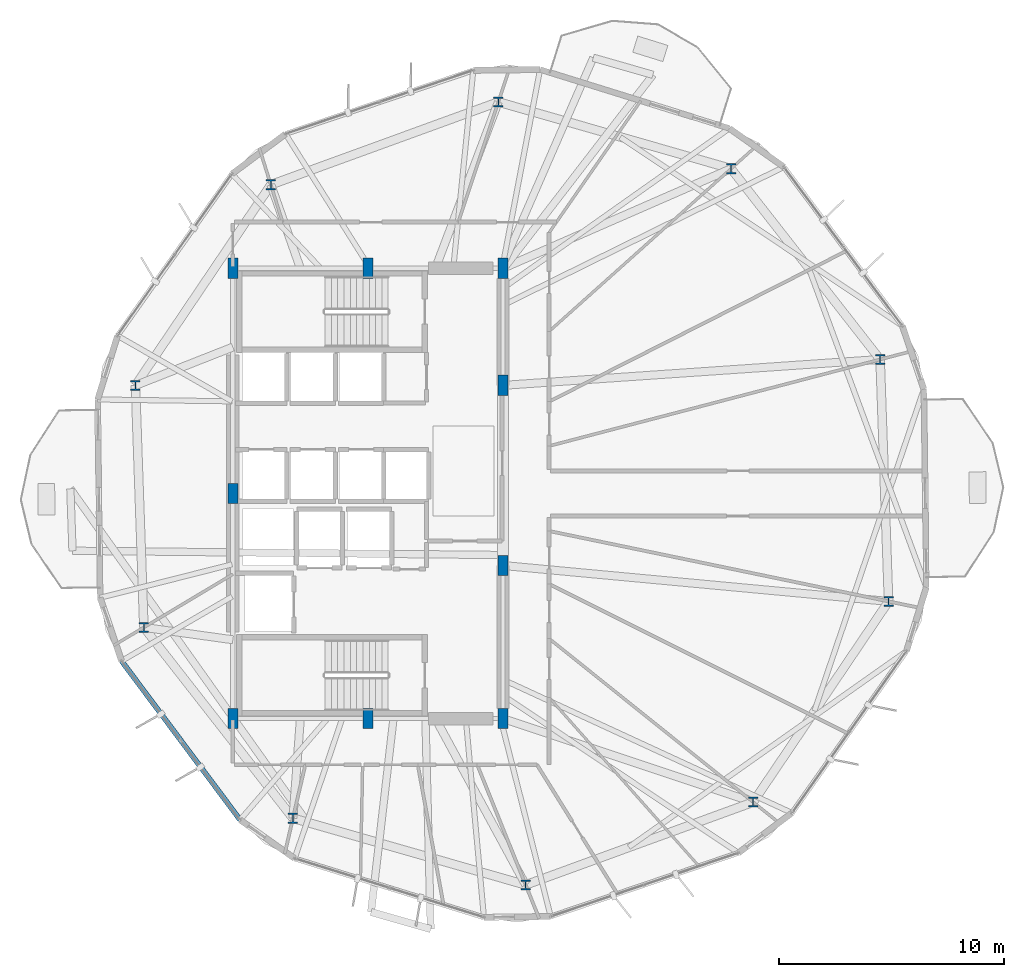
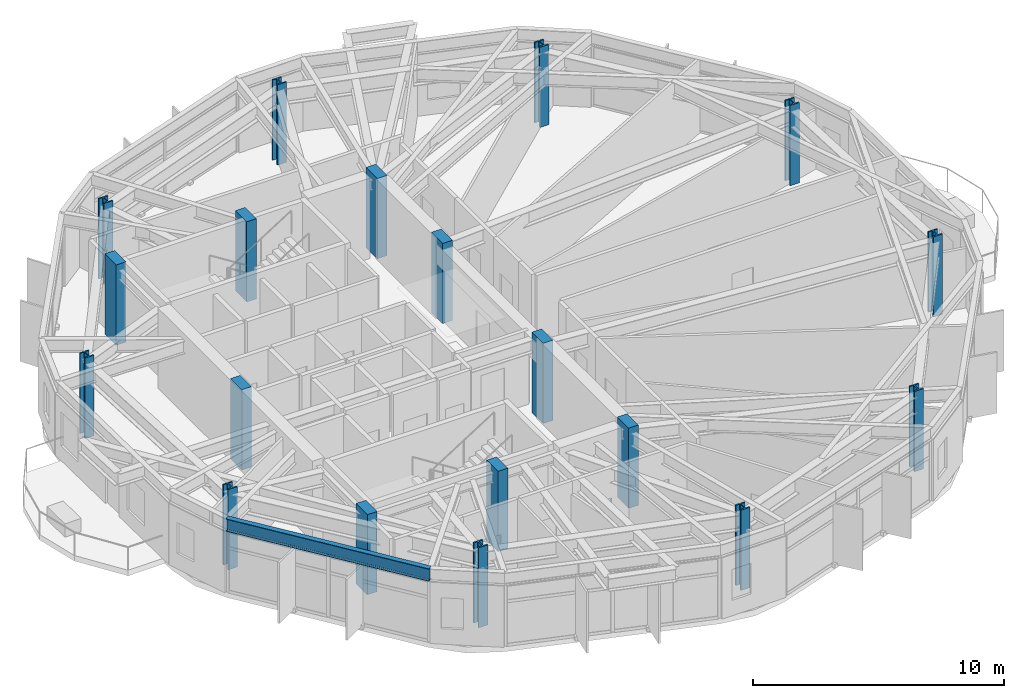
# One storey, part 1 of 25: 19 columns, 1 beam.
"""IFC4 building model written with IfcOpenShell, lengths in metres."""

from ifc_helpers import new_model, si_unit, direction, frame, origin, origin_2d, place, context, subcontext, project, spatial, rectangle, i_section, extrude, material, material_profile, profile_set, type_object, element, save


model = new_model("IFC4")

# Units and contexts
model_context = context("Model", 3, precision=1e-05, world=origin(), true_north=direction((0.0, 1.0)))
body_context = subcontext(model_context, "Body", "Model", "MODEL_VIEW")
ifc_project = project(units=[si_unit("LENGTHUNIT", "METRE"), si_unit("AREAUNIT", "SQUARE_METRE"), si_unit("VOLUMEUNIT", "CUBIC_METRE"), si_unit("PLANEANGLEUNIT", "RADIAN"), si_unit("MASSUNIT", "GRAM", prefix="KILO")], contexts=[model_context])

# Site, building, storey
site_placement = place(None, origin())
site = spatial("IfcSite", under=ifc_project, at=site_placement, CompositionType="ELEMENT")
building_placement = place(site_placement, origin())
building = spatial("IfcBuilding", under=site, at=building_placement, Name="Soratama Intermodal Tower", CompositionType="ELEMENT")
storey_placement = place(building_placement, frame((0.0, 0.0, 106.89990234375)))
storey = spatial("IfcBuildingStorey", under=building, at=storey_placement, Name="L25", CompositionType="ELEMENT", Elevation=106.89990234375)

# Columns
ifc_material_1 = material(Name="Structural steel ASTM A992 Grade 50", Category="steel")
ifc_material_profile_1 = material_profile(ifc_material_1, i_section(OverallWidth=0.41796875, OverallDepth=0.455078125, WebThickness=0.0419921875, FlangeThickness=0.067626953125, FilletRadius=0.0380859375, at=origin_2d()), Name="W14X370")
ifc_profile_set_1 = profile_set([ifc_material_profile_1], Name="Structural steel ASTM A992 Grade 50")
column_type_1 = type_object("IfcColumnType", Name="COL-ZB-W14X370", PredefinedType="COLUMN", material=ifc_profile_set_1)
for number, where, z_axis, x_axis, name in (
    (1, (61.3505859375, 30.951171875, 0.0), (0.0, 0.0, 1.0), (1.0, 0.0, 0.0), "L25 Tower Ring Column R01"),
    (2, (54.72998046875, 39.42529296875, 0.0), (0.0, 0.0, 1.0), (1.0, 0.0, 0.0), "L25 Tower Ring Column R02"),
    (3, (44.392578125, 42.389404296875, 0.0), (0.0, 0.0, 1.0), (1.0, 0.0, 0.0), "L25 Tower Ring Column R03"),
    (4, (34.28759765625, 38.71142578125, 0.0), (0.0, 0.0, 1.0), (1.0, 0.0, 0.0), "L25 Tower Ring Column R04"),
    (5, (28.27392578125, 29.796142578125, 0.0), (0.0, 0.0, 1.0), (1.0, 0.0, 0.0), "L25 Tower Ring Column R05"),
    (6, (28.6494140625, 19.048828125, 0.0), (0.0, 0.0, 1.0), (1.0, 0.0, 0.0), "L25 Tower Ring Column R06"),
    (7, (35.27001953125, 10.57470703125, 0.0), (0.0, 0.0, 1.0), (1.0, 0.0, 0.0), "L25 Tower Ring Column R07"),
    (8, (45.607421875, 7.610595703125, 0.0), (0.0, 0.0, 1.0), (1.0, 0.0, 0.0), "L25 Tower Ring Column R08"),
    (9, (55.71240234375, 11.28857421875, 0.0), (0.0, 0.0, 1.0), (1.0, 0.0, 0.0), "L25 Tower Ring Column R09"),
    (10, (61.72607421875, 20.203857421875, 0.0), (0.0, 0.0, 1.0), (1.0, 0.0, 0.0), "L25 Tower Ring Column R10"),
):
    element("IfcColumn", number, at=place(storey_placement, frame(where, z_axis=z_axis, x_axis=x_axis)), inside=storey, type_object=column_type_1, Name=name, PredefinedType="COLUMN", context=body_context, shape_type="SweptSolid", body=[
        extrude(i_section(OverallWidth=0.41796875, OverallDepth=0.455078125, WebThickness=0.0419921875, FlangeThickness=0.067626953125, FilletRadius=0.0380859375, at=origin_2d()), origin(), (0.0, 0.0, 1.0), 3.900146484375),
    ])
ifc_material_2 = material(Name="Concrete f'c 56 MPa", Category="concrete")
ifc_material_profile_2 = material_profile(ifc_material_2, rectangle(XDim=0.449951171875, YDim=0.89990234375, at=origin_2d()), Name="RC450X900")
ifc_profile_set_2 = profile_set([ifc_material_profile_2], Name="Concrete f'c 56 MPa")
column_type_2 = type_object("IfcColumnType", Name="PIL-CORE-450X900", PredefinedType="PILASTER", material=ifc_profile_set_2)
for number, where, z_axis, x_axis, name in (
    (11, (32.60009765625, 15.0, 0.0), (0.0, 0.0, 1.0), (1.0, 0.0, 0.0), "L25 Core Pilaster 1"),
    (12, (32.60009765625, 25.0, 0.0), (0.0, 0.0, 1.0), (1.0, 0.0, 0.0), "L25 Core Pilaster 2"),
    (13, (32.60009765625, 35.0, 0.0), (0.0, 0.0, 1.0), (1.0, 0.0, 0.0), "L25 Core Pilaster 3"),
    (14, (38.60009765625, 15.0, 0.0), (0.0, 0.0, 1.0), (1.0, 0.0, 0.0), "L25 Core Pilaster 4"),
    (15, (38.60009765625, 35.0, 0.0), (0.0, 0.0, 1.0), (1.0, 0.0, 0.0), "L25 Core Pilaster 5"),
    (16, (44.60009765625, 15.0, 0.0), (0.0, 0.0, 1.0), (1.0, 0.0, 0.0), "L25 Core Pilaster 6"),
    (17, (44.60009765625, 21.800048828125, 0.0), (0.0, 0.0, 1.0), (1.0, 0.0, 0.0), "L25 Core Pilaster 7"),
    (18, (44.60009765625, 29.800048828125, 0.0), (0.0, 0.0, 1.0), (1.0, 0.0, 0.0), "L25 Core Pilaster 8"),
    (19, (44.60009765625, 35.0, 0.0), (0.0, 0.0, 1.0), (1.0, 0.0, 0.0), "L25 Core Pilaster 9"),
):
    element("IfcColumn", number, at=place(storey_placement, frame(where, z_axis=z_axis, x_axis=x_axis)), inside=storey, type_object=column_type_2, Name=name, PredefinedType="PILASTER", context=body_context, shape_type="SweptSolid", body=[
        extrude(rectangle(XDim=0.449951171875, YDim=0.89990234375, at=origin_2d()), origin(), (0.0, 0.0, 1.0), 3.900146484375),
    ])

# Beam
ifc_material_3 = material(Name="Structural steel ASTM A992 Grade 50", Category="steel")
ifc_material_profile_3 = material_profile(ifc_material_3, i_section(OverallWidth=0.22900390625, OverallDepth=0.612060546875, WebThickness=0.011962890625, FlangeThickness=0.01953125, FilletRadius=0.012939453125, at=origin_2d()), Name="W24X84")
ifc_profile_set_3 = profile_set([ifc_material_profile_3], Name="Structural steel ASTM A992 Grade 50")
beam_type = type_object("IfcBeamType", Name="BM-SPN-W24X84", PredefinedType="SPANDREL", material=ifc_profile_set_3)
beam_placement = place(storey_placement, frame((27.656982421875, 17.556884765625, 3.294189453125), z_axis=(0.59789091216, -0.801577480445, 0.0), x_axis=(0.801577480445, 0.59789091216, 0.0)))
element("IfcBeam", 20, at=beam_placement, inside=storey, type_object=beam_type, Name="BS-L25-F06", PredefinedType="SPANDREL", context=body_context, shape_type="SweptSolid", body=[
    extrude(i_section(OverallWidth=0.22900390625, OverallDepth=0.612060546875, WebThickness=0.011962890625, FlangeThickness=0.01953125, FilletRadius=0.012939453125, at=origin_2d()), origin(), (0.0, 0.0, 1.0), 8.80615234375),
])

save(model, "model.ifc")
